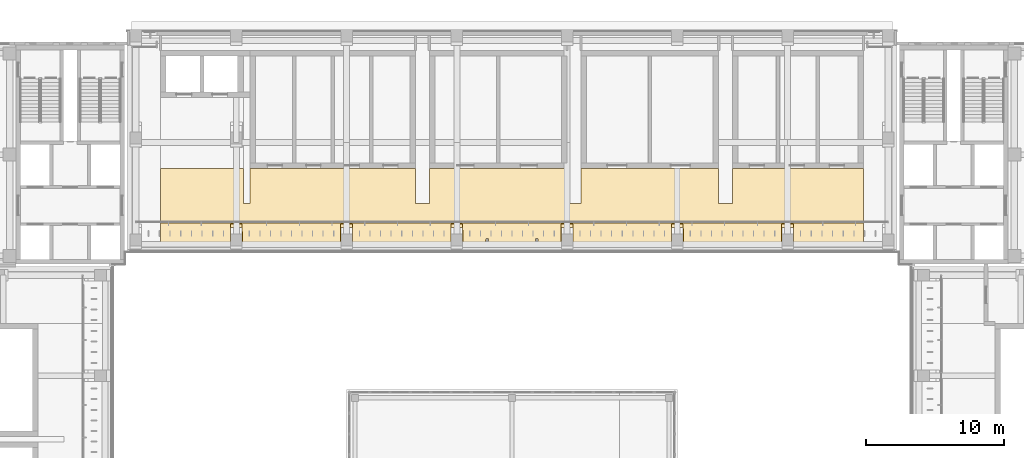
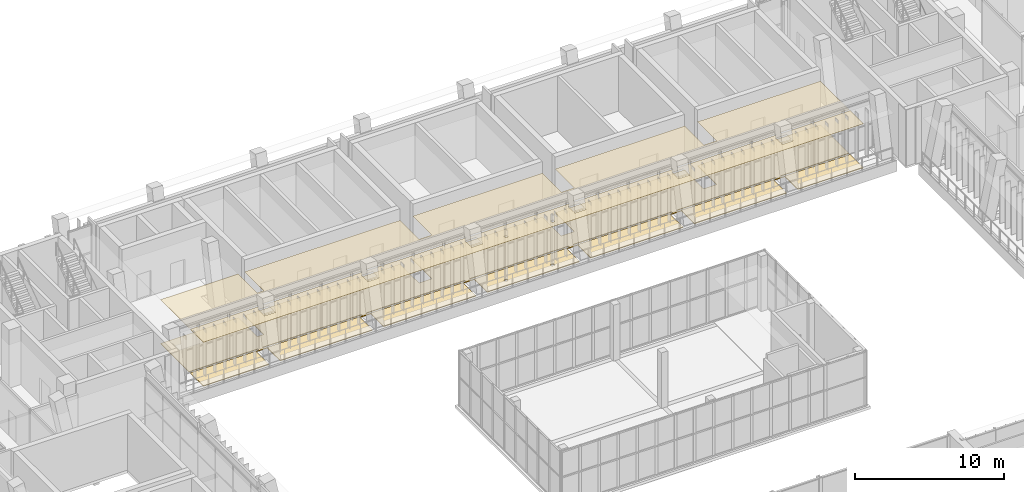
# One storey, part 86 of 92: 2 coverings.
"""IFC4 building model written with IfcOpenShell, lengths in metres."""

from ifc_helpers import new_model, si_unit, direction, frame, origin, place, context, subcontext, project, spatial, polyline, outline, extrude, material, layer, layer_set, type_object, element, save


model = new_model("IFC4")

# Units and contexts
model_context = context("Model", 3, precision=1e-05, world=origin(), true_north=direction((0.0, 1.0)))
body_context = subcontext(model_context, "Body", "Model", "MODEL_VIEW")
ifc_project = project(units=[si_unit("LENGTHUNIT", "METRE"), si_unit("AREAUNIT", "SQUARE_METRE"), si_unit("VOLUMEUNIT", "CUBIC_METRE"), si_unit("PLANEANGLEUNIT", "RADIAN"), si_unit("MASSUNIT", "GRAM", prefix="KILO")], contexts=[model_context])

# Site, building, storey
site_placement = place(None, origin())
site = spatial("IfcSite", under=ifc_project, at=site_placement, CompositionType="ELEMENT")
building_placement = place(site_placement, origin())
building = spatial("IfcBuilding", under=site, at=building_placement, Name="Lantern Court Media Centre", CompositionType="ELEMENT")
storey_placement = place(building_placement, frame((0.0, 0.0, 4.800048828125)))
storey = spatial("IfcBuildingStorey", under=building, at=storey_placement, Name="L01", CompositionType="ELEMENT", Elevation=4.800048828125)

# Coverings
ifc_material_1 = material(Name="Mineral fibre ceiling tile")
ifc_layer_1 = layer(ifc_material_1, 0.02001953125)
ifc_layer_set_1 = layer_set([ifc_layer_1], Name="Mineral fibre ceiling tile")
covering_type_1 = type_object("IfcCoveringType", Name="Suspended ceiling tile", PredefinedType="CEILING", material=ifc_layer_set_1)
covering_1_placement = place(storey_placement, frame((0.0, 0.0, 3.599853515625)))
element("IfcCovering", 1, at=covering_1_placement, inside=storey, type_object=covering_type_1, Name="Corridor ceiling", PredefinedType="CEILING", context=body_context, shape_type="SweptSolid", body=[
    extrude(outline(polyline([(67.0, 100.5), (68.0, 100.5), (68.0, 103.049560546875), (77.5, 103.049560546875), (77.5, 99.2255859375), (72.199462890625, 99.22509765625), (72.199951171875, 99.074462890625), (77.5, 99.074462890625), (77.5, 97.300048828125), (26.5, 97.300048828125), (26.5, 99.074462890625), (31.800537109375, 99.074951171875), (31.800048828125, 99.2255859375), (26.5, 99.2255859375), (26.5, 103.050048828125), (32.5, 103.050048828125), (32.5, 100.5), (33.0, 100.5), (33.0, 103.049560546875), (45.0, 103.049560546875), (45.0, 100.5), (46.0, 100.5), (46.0, 103.049560546875), (56.0, 103.049560546875), (56.0, 100.5), (57.0, 100.5), (57.0, 103.049560546875), (67.0, 103.049560546875), (67.0, 100.5)]), holes=[polyline([(72.425048828125, 97.926513671875), (72.425048828125, 98.025390625), (71.574462890625, 98.025146484375), (71.574951171875, 97.926513671875), (72.425048828125, 97.926513671875)]), polyline([(72.425048828125, 98.174560546875), (72.42529296875, 98.777587890625), (71.574462890625, 98.77734375), (71.57470703125, 98.174560546875), (72.425048828125, 98.174560546875)]), polyline([(64.199951171875, 99.2255859375), (64.199951171875, 99.074462890625), (71.800537109375, 99.074951171875), (71.800048828125, 99.2255859375), (64.199951171875, 99.2255859375)]), polyline([(64.425048828125, 98.174560546875), (64.42529296875, 98.777587890625), (63.574462890625, 98.77734375), (63.57470703125, 98.174560546875), (64.425048828125, 98.174560546875)]), polyline([(64.425048828125, 97.926513671875), (64.425048828125, 98.025390625), (63.574462890625, 98.025146484375), (63.574951171875, 97.926513671875), (64.425048828125, 97.926513671875)]), polyline([(56.199951171875, 99.2255859375), (56.199951171875, 99.074462890625), (63.800537109375, 99.074951171875), (63.800048828125, 99.2255859375), (56.199951171875, 99.2255859375)]), polyline([(56.425048828125, 98.174560546875), (56.42529296875, 98.777587890625), (55.574462890625, 98.77734375), (55.57470703125, 98.174560546875), (56.425048828125, 98.174560546875)]), polyline([(56.425048828125, 97.926513671875), (56.425048828125, 98.025390625), (55.574462890625, 98.025146484375), (55.574951171875, 97.926513671875), (56.425048828125, 97.926513671875)]), polyline([(48.199951171875, 99.2255859375), (48.199951171875, 99.074462890625), (55.800537109375, 99.074951171875), (55.800048828125, 99.2255859375), (48.199951171875, 99.2255859375)]), polyline([(53.89990234375, 97.759521484375), (53.900390625, 97.96044921875), (53.69970703125, 97.96044921875), (53.69970703125, 97.759765625), (53.89990234375, 97.759521484375)]), polyline([(50.300048828125, 97.759521484375), (50.30029296875, 97.96044921875), (50.099609375, 97.96044921875), (50.099609375, 97.759765625), (50.300048828125, 97.759521484375)]), polyline([(48.425048828125, 98.174560546875), (48.42529296875, 98.777587890625), (47.574462890625, 98.77734375), (47.57470703125, 98.174560546875), (48.425048828125, 98.174560546875)]), polyline([(48.425048828125, 97.926513671875), (48.425048828125, 98.025390625), (47.574462890625, 98.025146484375), (47.574951171875, 97.926513671875), (48.425048828125, 97.926513671875)]), polyline([(40.199951171875, 99.2255859375), (40.199951171875, 99.074462890625), (47.800537109375, 99.074951171875), (47.800048828125, 99.2255859375), (40.199951171875, 99.2255859375)]), polyline([(40.425048828125, 97.926513671875), (40.425048828125, 98.025390625), (39.574462890625, 98.025146484375), (39.574951171875, 97.926513671875), (40.425048828125, 97.926513671875)]), polyline([(40.425048828125, 98.174560546875), (40.42529296875, 98.777587890625), (39.574462890625, 98.77734375), (39.57470703125, 98.174560546875), (40.425048828125, 98.174560546875)]), polyline([(32.199951171875, 99.2255859375), (32.199951171875, 99.074462890625), (39.800537109375, 99.074951171875), (39.800048828125, 99.2255859375), (32.199951171875, 99.2255859375)]), polyline([(32.425048828125, 97.926513671875), (32.425048828125, 98.025390625), (31.574462890625, 98.025146484375), (31.574951171875, 97.926513671875), (32.425048828125, 97.926513671875)]), polyline([(32.425048828125, 98.174560546875), (32.42529296875, 98.777587890625), (31.574462890625, 98.77734375), (31.57470703125, 98.174560546875), (32.425048828125, 98.174560546875)])]), origin(), (0.0, 0.0, 1.0), 0.02001953125),
])
ifc_material_2 = material(Name="Terrazzo")
ifc_layer_2 = layer(ifc_material_2, 0.050048828125)
ifc_layer_set_2 = layer_set([ifc_layer_2], Name="Terrazzo")
covering_type_2 = type_object("IfcCoveringType", Name="Terrazzo floor finish", PredefinedType="FLOORING", material=ifc_layer_set_2)
covering_2_placement = place(storey_placement, origin())
element("IfcCovering", 2, at=covering_2_placement, inside=storey, type_object=covering_type_2, Name="Corridor floor finish", PredefinedType="FLOORING", context=body_context, shape_type="SweptSolid", body=[
    extrude(outline(polyline([(67.0, 100.5), (68.0, 100.5), (68.0, 103.044921875), (77.5, 103.044921875), (77.5, 99.22998046875), (72.195068359375, 99.22509765625), (72.199951171875, 99.070068359375), (77.5, 99.070068359375), (77.5, 97.300048828125), (72.429931640625, 97.300048828125), (72.425048828125, 99.030029296875), (71.570556640625, 99.02734375), (71.570068359375, 97.300048828125), (64.429931640625, 97.300048828125), (64.425048828125, 99.030029296875), (63.570556640625, 99.02734375), (63.570068359375, 97.300048828125), (56.429931640625, 97.300048828125), (56.425048828125, 99.030029296875), (55.570556640625, 99.02734375), (55.570068359375, 97.300048828125), (48.429931640625, 97.300048828125), (48.425048828125, 99.030029296875), (47.570556640625, 99.02734375), (47.570068359375, 97.300048828125), (40.429931640625, 97.300048828125), (40.425048828125, 99.030029296875), (39.570556640625, 99.02734375), (39.570068359375, 97.300048828125), (32.429931640625, 97.300048828125), (32.425048828125, 99.030029296875), (31.570556640625, 99.02734375), (31.570068359375, 97.300048828125), (26.5, 97.300048828125), (26.5, 99.070068359375), (31.804931640625, 99.074951171875), (31.800048828125, 99.22998046875), (26.5, 99.22998046875), (26.5, 103.050048828125), (32.5, 103.050048828125), (32.5, 100.5), (33.0, 100.5), (33.0, 103.044921875), (45.0, 103.044921875), (45.0, 100.5), (46.0, 100.5), (46.0, 103.044921875), (56.0, 103.044921875), (56.0, 100.5), (57.0, 100.5), (57.0, 103.044921875), (67.0, 103.044921875), (67.0, 100.5)]), holes=[polyline([(64.195068359375, 99.074951171875), (71.800048828125, 99.070068359375), (71.804931640625, 99.22509765625), (64.199951171875, 99.22998046875), (64.195068359375, 99.074951171875)]), polyline([(56.195068359375, 99.074951171875), (63.800048828125, 99.070068359375), (63.804931640625, 99.22509765625), (56.199951171875, 99.22998046875), (56.195068359375, 99.074951171875)]), polyline([(48.199951171875, 99.22998046875), (48.199951171875, 99.070068359375), (55.804931640625, 99.074951171875), (55.800048828125, 99.22998046875), (48.199951171875, 99.22998046875)]), polyline([(53.695068359375, 97.760009765625), (53.903564453125, 97.75634765625), (53.903564453125, 97.963623046875), (53.696533203125, 97.963623046875), (53.695068359375, 97.760009765625)]), polyline([(50.094970703125, 97.760009765625), (50.303466796875, 97.75634765625), (50.303466796875, 97.963623046875), (50.096435546875, 97.963623046875), (50.094970703125, 97.760009765625)]), polyline([(40.195068359375, 99.074951171875), (47.800048828125, 99.070068359375), (47.804931640625, 99.22509765625), (40.199951171875, 99.22998046875), (40.195068359375, 99.074951171875)]), polyline([(32.199951171875, 99.22998046875), (32.199951171875, 99.070068359375), (39.804931640625, 99.074951171875), (39.800048828125, 99.22998046875), (32.199951171875, 99.22998046875)])]), origin(), (0.0, 0.0, 1.0), 0.050048828125),
])

save(model, "model.ifc")
